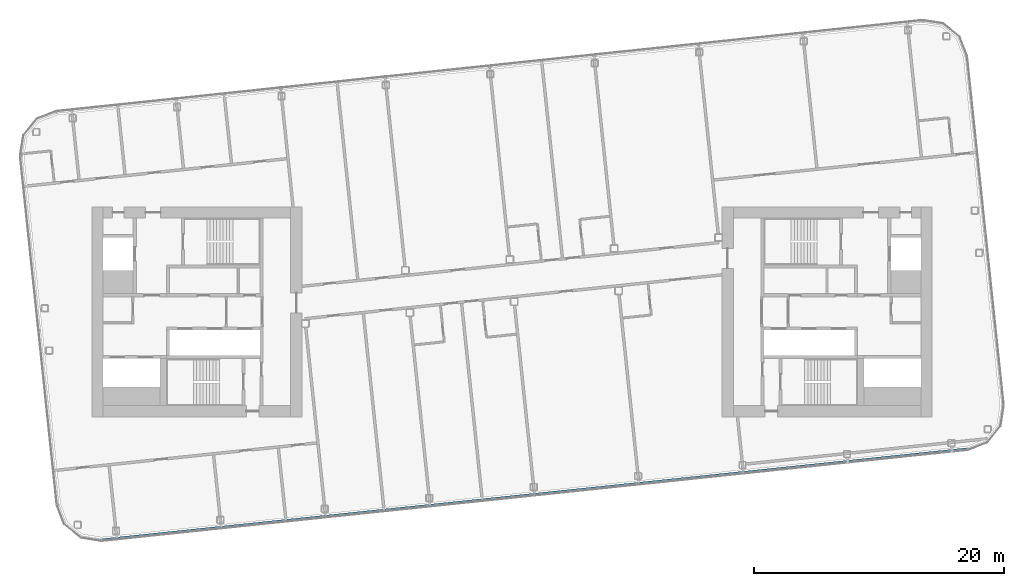
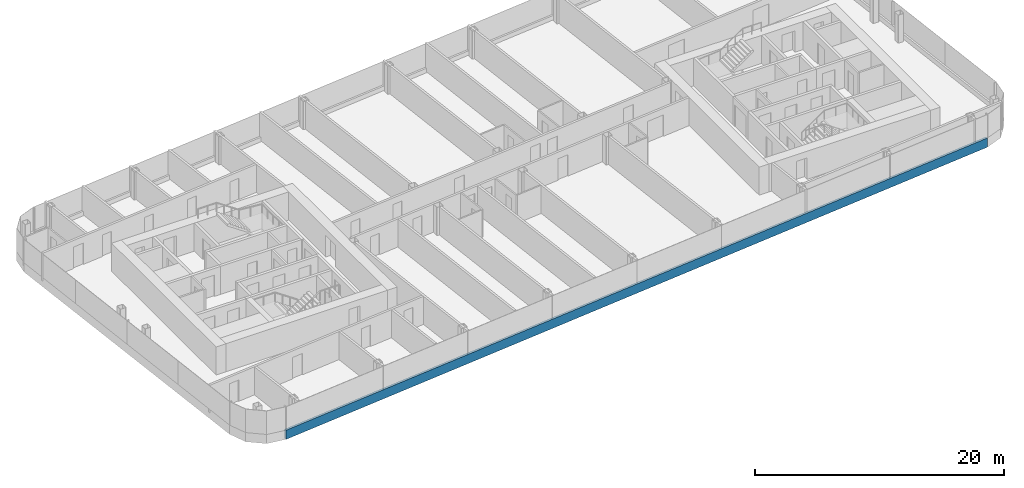
# One storey, part 6 of 27: 1 member, 1 element without a shape of its own.
"""IFC4 building model written with IfcOpenShell, lengths in metres."""

import ifcopenshell
import ifcopenshell.guid

model = None  # the IFC model being written
_history = None  # IfcOwnerHistory: only IFC2X3 demands one
_inside = {}  # id of a spatial element -> (the spatial element, [elements in it])
_under = {}  # id of a project, library or spatial element -> (it, [spatial elements below it])
_declared = {}  # id of a project -> (the project, [libraries it declares])
_typed = {}  # id of a type object -> (the type object, [elements of that type])
_made_of = {}  # id of a material, layer set ... -> (it, [elements and type objects made of it])


def new_model(schema):
    """Start an empty IFC model of exactly this schema.

    Asked for "IFC4X3", IfcOpenShell would pick the latest addendum, in which some entities
    have other attributes; the version numbers below select the first issue.
    IFC2X3 requires an IfcOwnerHistory on every rooted entity: one is made here for all.
    """
    global model, _history
    if schema == "IFC4X3":
        model = ifcopenshell.file(schema_version=(4, 3, 0, 0))
    else:
        model = ifcopenshell.file(schema=schema)
    _inside.clear()
    _under.clear()
    _declared.clear()
    _typed.clear()
    _made_of.clear()
    _history = None
    if model.schema == "IFC2X3":
        org = make("IfcOrganization", Name="unknown")
        user = make(
            "IfcPersonAndOrganization",
            ThePerson=make("IfcPerson", FamilyName="unknown"),
            TheOrganization=org,
        )
        app = make(
            "IfcApplication",
            ApplicationDeveloper=org,
            Version="unknown",
            ApplicationFullName="unknown",
            ApplicationIdentifier="unknown",
        )
        _history = make(
            "IfcOwnerHistory",
            OwningUser=user,
            OwningApplication=app,
            ChangeAction="ADDED",
            CreationDate=0,
        )
    return model


def make(cls, **values):
    """One entity of the class cls with the attributes given. An attribute that is None is left unset."""
    return model.create_entity(
        cls, **{name: value for name, value in values.items() if value is not None}
    )


def rooted(cls, **values):
    """An entity with a GlobalId (a new one), such as an element, a storey or a relation."""
    return make(cls, GlobalId=ifcopenshell.guid.new(), OwnerHistory=_history, **values)


def si_unit(unit_type, name, prefix=None):
    """IfcSIUnit, for example si_unit("LENGTHUNIT", "METRE", prefix="MILLI")."""
    return make("IfcSIUnit", UnitType=unit_type, Prefix=prefix, Name=name)


def assignment(units):
    """IfcUnitAssignment: the units of a project."""
    return None if units is None else make("IfcUnitAssignment", Units=units)


def point(xyz):
    """IfcCartesianPoint."""
    return None if xyz is None else make("IfcCartesianPoint", Coordinates=xyz)


def direction(xyz):
    """IfcDirection."""
    return None if xyz is None else make("IfcDirection", DirectionRatios=xyz)


def frame(location, z_axis=None, x_axis=None):
    """IfcAxis2Placement3D, a coordinate frame: its origin and axes. An axis left out is left unset."""
    return make(
        "IfcAxis2Placement3D",
        Location=point(location),
        Axis=direction(z_axis),
        RefDirection=direction(x_axis),
    )


def frame_2d(location, x_axis=None):
    """IfcAxis2Placement2D, a coordinate frame in the plane: its origin and x axis."""
    return make(
        "IfcAxis2Placement2D", Location=point(location), RefDirection=direction(x_axis)
    )


def origin():
    """The frame at (0, 0, 0) with its axes left unset."""
    return frame((0.0, 0.0, 0.0))


def origin_2d():
    """The frame at (0, 0) in the plane with its x axis left unset."""
    return frame_2d((0.0, 0.0))


def place(relative_to, where):
    """IfcLocalPlacement: puts the frame where relative to a parent placement (None: the world)."""
    return make(
        "IfcLocalPlacement", PlacementRelTo=relative_to, RelativePlacement=where
    )


def context(
    kind, dimensions, precision=None, world=None, true_north=None, identifier=None
):
    """IfcGeometricRepresentationContext, for example the 3D "Model" context."""
    return make(
        "IfcGeometricRepresentationContext",
        ContextIdentifier=identifier,
        ContextType=kind,
        CoordinateSpaceDimension=dimensions,
        Precision=precision,
        WorldCoordinateSystem=world,
        TrueNorth=true_north,
    )


def subcontext(parent, identifier, kind, view, scale=None):
    """IfcGeometricRepresentationSubContext, for example "Body" below "Model"."""
    return make(
        "IfcGeometricRepresentationSubContext",
        ContextIdentifier=identifier,
        ContextType=kind,
        ParentContext=parent,
        TargetScale=scale,
        TargetView=view,
    )


def project(units=None, contexts=None):
    """IfcProject with its units and contexts."""
    return rooted(
        "IfcProject",
        Name="project",
        RepresentationContexts=contexts,
        UnitsInContext=assignment(units),
    )


def spatial(cls, under=None, at=None, **own):
    """A site, building, storey or space (cls), placed at a placement, below another one or the project."""
    s = rooted(cls, ObjectPlacement=at, **own)
    if under is not None:
        _under.setdefault(under.id(), (under, []))[1].append(s)
    return s


def profile(cls, at=None, kind="AREA", **sizes):
    """A parametric profile (cls). Its sizes go by their IFC names, for example OverallWidth=200.0."""
    return make(cls, ProfileType=kind, Position=at, **sizes)


def rectangle(**sizes):
    """IfcRectangleProfileDef."""
    return profile("IfcRectangleProfileDef", **sizes)


def extrude(swept, where, along, depth):
    """IfcExtrudedAreaSolid: the profile swept, set in the frame where, extruded along a direction by depth."""
    return make(
        "IfcExtrudedAreaSolid",
        SweptArea=swept,
        Position=where,
        ExtrudedDirection=direction(along),
        Depth=depth,
    )


def shape(context_of_items, identifier, shape_type, items):
    """IfcShapeRepresentation: the items that make up one representation, for example the "Body"."""
    return make(
        "IfcShapeRepresentation",
        ContextOfItems=context_of_items,
        RepresentationIdentifier=identifier,
        RepresentationType=shape_type,
        Items=items,
    )


def material(Name=None, Category=None):
    """IfcMaterial."""
    return make("IfcMaterial", Name=Name, Category=Category)


def layer(
    of_material, thickness, ventilated=None, Name=None, Category=None, Priority=None
):
    """IfcMaterialLayer: one layer of a wall or slab, of a material (None: an air gap)."""
    return make(
        "IfcMaterialLayer",
        Material=of_material,
        LayerThickness=thickness,
        IsVentilated=ventilated,
        Name=Name,
        Category=Category,
        Priority=Priority,
    )


def layer_set(layers, Name=None):
    """IfcMaterialLayerSet."""
    return make("IfcMaterialLayerSet", MaterialLayers=layers, LayerSetName=Name)


def material_profile(
    of_material, cross_section, Name=None, Category=None, Priority=None
):
    """IfcMaterialProfile: a cross section and its material."""
    return make(
        "IfcMaterialProfile",
        Name=Name,
        Material=of_material,
        Profile=cross_section,
        Priority=Priority,
        Category=Category,
    )


def profile_set(profiles, Name=None, composite=None):
    """IfcMaterialProfileSet."""
    return make(
        "IfcMaterialProfileSet",
        Name=Name,
        MaterialProfiles=profiles,
        CompositeProfile=composite,
    )


def made_of(thing, what):
    """Note that an element or type object is made of a material, layer set ...; save() writes the relation."""
    if what is not None:
        _made_of.setdefault(what.id(), (what, []))[1].append(thing)
    return thing


def type_object(cls, material=None, **own):
    """A type object (cls), such as IfcWallType, which elements share."""
    return made_of(rooted(cls, **own), material)


def element(
    cls,
    number,
    at=None,
    inside=None,
    cuts=None,
    type_object=None,
    material=None,
    context=None,
    identifier="Body",
    shape_type=None,
    held_by="IfcProductDefinitionShape",
    body=None,
    shapes=None,
    **own,
):
    """One element of the class cls, such as IfcWall. Its Tag is "e" and its number.

    at: its placement. inside: the storey or other place that contains it. cuts: it is an
    opening in that element (IfcRelVoidsElement). A single representation is given by context,
    identifier, shape_type and body (its items); several are given by shapes. held_by: the class
    of the entity that holds the representations. save() writes the other relations.
    """
    e = rooted(cls, Tag="e%d" % number, ObjectPlacement=at, **own)
    if body is not None:
        shapes = [shape(context, identifier, shape_type, body)]
    if shapes is not None:
        e.Representation = make(held_by, Representations=shapes)
    if inside is not None:
        _inside.setdefault(inside.id(), (inside, []))[1].append(e)
    if cuts is not None:
        rooted(
            "IfcRelVoidsElement", RelatingBuildingElement=cuts, RelatedOpeningElement=e
        )
    if type_object is not None:
        _typed.setdefault(type_object.id(), (type_object, []))[1].append(e)
    return made_of(e, material)


def aggregate(whole, parts):
    """IfcRelAggregates: a whole, such as a stair, and the parts it consists of."""
    return rooted("IfcRelAggregates", RelatingObject=whole, RelatedObjects=parts)


def save(model, path):
    """Write the relations noted so far, then the file.

    IfcRelAggregates (storeys below a building ...), IfcRelContainedInSpatialStructure (elements
    in a storey), IfcRelDefinesByType, IfcRelAssociatesMaterial and IfcRelDeclares: one each for
    every whole, place, type object, material and project.
    """
    for whole, parts in _under.values():
        aggregate(whole, parts)
    for where, things in _inside.values():
        rooted(
            "IfcRelContainedInSpatialStructure",
            RelatedElements=things,
            RelatingStructure=where,
        )
    for kind, things in _typed.values():
        rooted("IfcRelDefinesByType", RelatedObjects=things, RelatingType=kind)
    for what, things in _made_of.values():
        rooted("IfcRelAssociatesMaterial", RelatedObjects=things, RelatingMaterial=what)
    for by, libraries in _declared.values():
        rooted("IfcRelDeclares", RelatingContext=by, RelatedDefinitions=libraries)
    model.write(path)


model = new_model("IFC4")

# Units and contexts
model_context = context("Model", 3, precision=1e-05, world=origin(), true_north=direction((0.0, 1.0)))
body_context = subcontext(model_context, "Body", "Model", "MODEL_VIEW")
ifc_project = project(units=[si_unit("LENGTHUNIT", "METRE"), si_unit("AREAUNIT", "SQUARE_METRE"), si_unit("VOLUMEUNIT", "CUBIC_METRE"), si_unit("PLANEANGLEUNIT", "RADIAN"), si_unit("MASSUNIT", "GRAM", prefix="KILO")], contexts=[model_context])

# Site, building, storey
site_placement = place(None, origin())
site = spatial("IfcSite", under=ifc_project, at=site_placement, CompositionType="ELEMENT")
building_placement = place(site_placement, origin())
building = spatial("IfcBuilding", under=site, at=building_placement, Name="Hakoniwa Tower and Hamabe Station Hall", CompositionType="ELEMENT")
storey_placement = place(building_placement, frame((0.0, 0.0, 242.199951171875)))
storey = spatial("IfcBuildingStorey", under=building, at=storey_placement, Name="L68", CompositionType="ELEMENT", Elevation=242.199951171875)

# Curtain wall, member
ifc_material_1 = material(Name="Dark low-e laminated glass", Category="glass")
ifc_layer = layer(ifc_material_1, 0.199951171875)
ifc_layer_set = layer_set([ifc_layer], Name="CW-1 UNITISED GUEST")
curtain_wall_type = type_object("IfcCurtainWallType", Name="CW-1 UNITISED GUEST", PredefinedType="NOTDEFINED", material=ifc_layer_set)
curtain_wall_placement = place(storey_placement, origin())
curtain_wall = element("IfcCurtainWall", 1, at=curtain_wall_placement, inside=storey, type_object=curtain_wall_type, Name="CW-1 curtain wall", PredefinedType="NOTDEFINED")
ifc_material_2 = material(Name="Aluminium 6063-T5 black anodised", Category="aluminium")
ifc_material_profile = material_profile(ifc_material_2, rectangle(XDim=0.199951171875, YDim=0.89990234375, at=origin_2d()), Name="CW SLAB-EDGE BAND 900X200")
ifc_profile_set = profile_set([ifc_material_profile], Name="Aluminium 6063-T5 black anodised")
member_type = type_object("IfcMemberType", Name="CW SLAB-EDGE BAND 900X200", PredefinedType="USERDEFINED", material=ifc_profile_set)
member_placement = place(storey_placement, frame((-32.850830078125, -18.24755859375, -0.099853515625), z_axis=(0.994521894037, 0.10452847593, 0.0), x_axis=(-0.10452847593, 0.994521894037, 0.0)))
member = element("IfcMember", 2, at=member_placement, type_object=member_type, Name="CW-1 transom", ObjectType="TRANSOM", PredefinedType="USERDEFINED", context=body_context, shape_type="SweptSolid", body=[
    extrude(rectangle(XDim=0.199951171875, YDim=0.89990234375, at=origin_2d()), origin(), (0.0, 0.0, 1.0), 69.678955078125),
])
aggregate(curtain_wall, [member])

save(model, "model.ifc")
